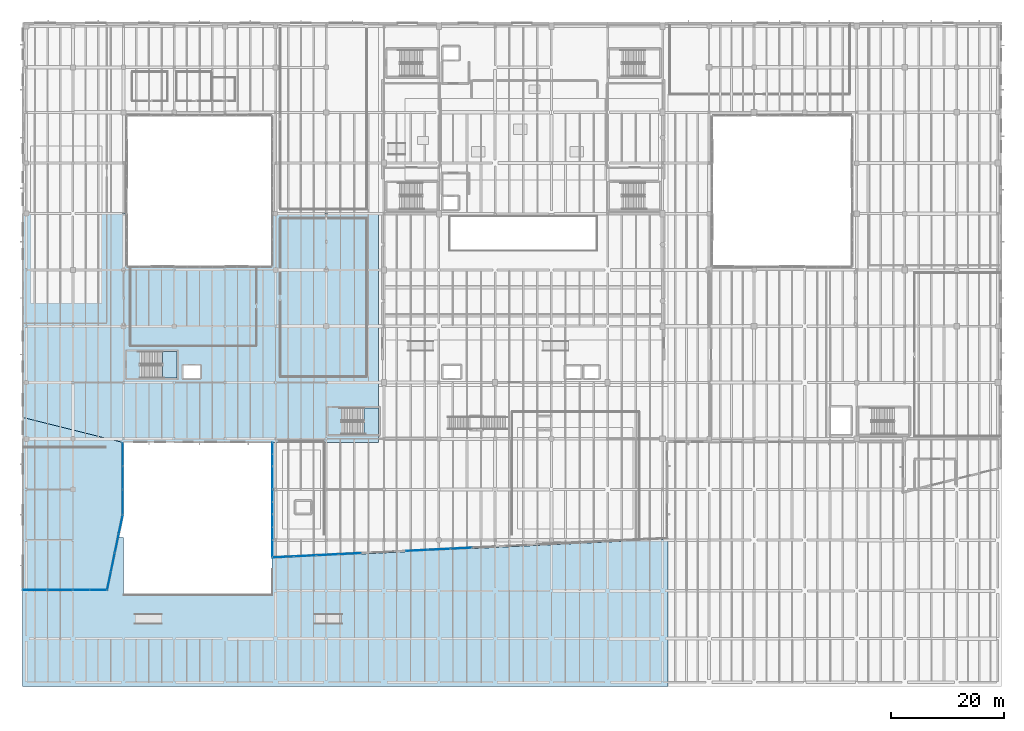
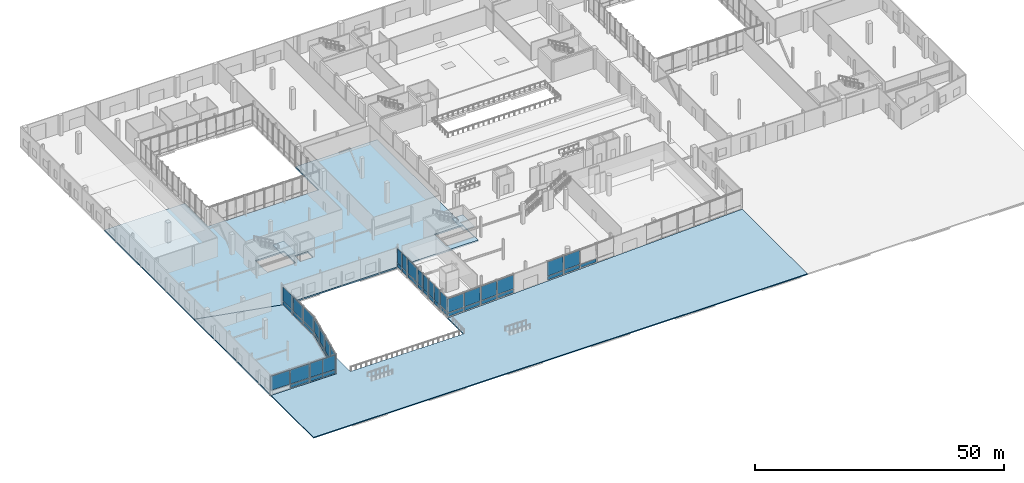
# One storey, part 60 of 88: 50 plates, 5 slabs, 22 elements without a shape of their own.
"""IFC4 building model written with IfcOpenShell, lengths in metres."""

from ifc_helpers import new_model, si_unit, direction, frame, origin, origin_2d, place, context, subcontext, project, spatial, polyline, rectangle, outline, extrude, material, layer, layer_set, type_object, element, aggregate, save


model = new_model("IFC4")

# Units and contexts
model_context = context("Model", 3, precision=1e-05, world=origin(), true_north=direction((0.0, 1.0)))
body_context = subcontext(model_context, "Body", "Model", "MODEL_VIEW")
ifc_project = project(units=[si_unit("LENGTHUNIT", "METRE"), si_unit("AREAUNIT", "SQUARE_METRE"), si_unit("VOLUMEUNIT", "CUBIC_METRE"), si_unit("PLANEANGLEUNIT", "RADIAN"), si_unit("MASSUNIT", "GRAM", prefix="KILO")], contexts=[model_context])

# Site, building, storey
site_placement = place(None, origin())
site = spatial("IfcSite", under=ifc_project, at=site_placement, CompositionType="ELEMENT")
building_placement = place(site_placement, origin())
building = spatial("IfcBuilding", under=site, at=building_placement, Name="Trimount Lyric Opera House", CompositionType="ELEMENT")
storey_placement = place(building_placement, origin())
storey = spatial("IfcBuildingStorey", under=building, at=storey_placement, Name="L00", CompositionType="ELEMENT", Elevation=0.0)

# Curtain wall, plate
ifc_material_1 = material(Name="Thermally Broken Aluminium and Low-E Glass", Category="aluminium")
curtain_wall_type_1 = type_object("IfcCurtainWallType", Name="CW-01", PredefinedType="NOTDEFINED", material=ifc_material_1)
curtain_wall_1_placement = place(storey_placement, origin())
curtain_wall_1 = element("IfcCurtainWall", 1, at=curtain_wall_1_placement, inside=storey, type_object=curtain_wall_type_1, Name="L00 curtain wall 021", PredefinedType="NOTDEFINED")
ifc_material_2 = material(Name="Triple Low-E Acoustic Laminated Glass", Category="glass")
ifc_layer_1 = layer(ifc_material_2, 0.035888671875)
ifc_layer_set_1 = layer_set([ifc_layer_1], Name="CWP-01")
plate_type_1 = type_object("IfcPlateType", Name="CWP-01", PredefinedType="CURTAIN_PANEL", material=ifc_layer_set_1)
plate_1_placement = place(storey_placement, frame((77.99609375, 24.550537109375, 0.159912109375), z_axis=(0.0, 0.0, 1.0), x_axis=(-0.998814490119, -0.048678684537, 0.0)))
plate_1 = element("IfcPlate", 2, at=plate_1_placement, type_object=plate_type_1, Name="CW-01 panel 1.1", PredefinedType="CURTAIN_PANEL", context=body_context, shape_type="SweptSolid", body=[
    extrude(rectangle(XDim=3.74267578125, YDim=0.035888671875, at=origin_2d()), origin(), (0.0, 0.0, 1.0), 0.81005859375),
])
aggregate(curtain_wall_1, [plate_1])

curtain_wall_2_placement = place(storey_placement, origin())
curtain_wall_2 = element("IfcCurtainWall", 3, at=curtain_wall_2_placement, inside=storey, type_object=curtain_wall_type_1, Name="L00 curtain wall 022", PredefinedType="NOTDEFINED")
plate_2_placement = place(storey_placement, frame((74.028076171875, 24.3564453125, 0.13525390625), z_axis=(0.0, 0.0, 1.0), x_axis=(-0.998814490119, -0.048678684537, 0.0)))
plate_2 = element("IfcPlate", 4, at=plate_2_placement, type_object=plate_type_1, Name="CW-01 panel 1.1", PredefinedType="CURTAIN_PANEL", context=body_context, shape_type="SweptSolid", body=[
    extrude(rectangle(XDim=3.752685546875, YDim=0.035888671875, at=origin_2d()), origin(), (0.0, 0.0, 1.0), 0.847412109375),
])

curtain_wall_3_placement = place(storey_placement, origin())
curtain_wall_3 = element("IfcCurtainWall", 5, at=curtain_wall_3_placement, inside=storey, type_object=curtain_wall_type_1, Name="L00 curtain wall 023", PredefinedType="NOTDEFINED")
plate_3_placement = place(storey_placement, frame((70.06005859375, 24.1630859375, 0.114990234375), z_axis=(0.0, 0.0, 1.0), x_axis=(-0.998801934448, -0.048935628556, 0.0)))
plate_3 = element("IfcPlate", 6, at=plate_3_placement, type_object=plate_type_1, Name="CW-01 panel 1.1", PredefinedType="CURTAIN_PANEL", context=body_context, shape_type="SweptSolid", body=[
    extrude(rectangle(XDim=3.7626953125, YDim=0.035888671875, at=origin_2d()), origin(), (0.0, 0.0, 1.0), 0.87744140625),
])

curtain_wall_4_placement = place(storey_placement, origin())
curtain_wall_4 = element("IfcCurtainWall", 7, at=curtain_wall_4_placement, inside=storey, type_object=curtain_wall_type_1, Name="L00 curtain wall 024", PredefinedType="NOTDEFINED")
plate_4_placement = place(storey_placement, frame((58.200927734375, 23.583984375, 0.159912109375), z_axis=(0.0, 0.0, 1.0), x_axis=(-0.998806967144, -0.048832800304, 0.0)))
plate_4 = element("IfcPlate", 8, at=plate_4_placement, type_object=plate_type_1, Name="CW-01 panel 1.1", PredefinedType="CURTAIN_PANEL", context=body_context, shape_type="SweptSolid", body=[
    extrude(rectangle(XDim=3.832763671875, YDim=0.035888671875, at=origin_2d()), origin(), (0.0, 0.0, 1.0), 0.81005859375),
])

curtain_wall_5_placement = place(storey_placement, origin())
curtain_wall_5 = element("IfcCurtainWall", 9, at=curtain_wall_5_placement, inside=storey, type_object=curtain_wall_type_1, Name="L00 curtain wall 025", PredefinedType="NOTDEFINED")
plate_5_placement = place(storey_placement, frame((54.18798828125, 23.388427734375, 0.13525390625), z_axis=(0.0, 0.0, 1.0), x_axis=(-0.998814490119, -0.048678684537, 0.0)))
plate_5 = element("IfcPlate", 10, at=plate_5_placement, type_object=plate_type_1, Name="CW-01 panel 1.1", PredefinedType="CURTAIN_PANEL", context=body_context, shape_type="SweptSolid", body=[
    extrude(rectangle(XDim=3.752685546875, YDim=0.035888671875, at=origin_2d()), origin(), (0.0, 0.0, 1.0), 0.847412109375),
])

curtain_wall_6_placement = place(storey_placement, origin())
curtain_wall_6 = element("IfcCurtainWall", 11, at=curtain_wall_6_placement, inside=storey, type_object=curtain_wall_type_1, Name="L00 curtain wall 026", PredefinedType="NOTDEFINED")
plate_6_placement = place(storey_placement, frame((50.219970703125, 23.194580078125, 0.114990234375), z_axis=(0.0, 0.0, 1.0), x_axis=(-0.998814490119, -0.048678684537, 0.0)))
plate_6 = element("IfcPlate", 12, at=plate_6_placement, type_object=plate_type_1, Name="CW-01 panel 1.1", PredefinedType="CURTAIN_PANEL", context=body_context, shape_type="SweptSolid", body=[
    extrude(rectangle(XDim=3.7626953125, YDim=0.035888671875, at=origin_2d()), origin(), (0.0, 0.0, 1.0), 0.87744140625),
])

curtain_wall_7_placement = place(storey_placement, origin())
curtain_wall_7 = element("IfcCurtainWall", 13, at=curtain_wall_7_placement, inside=storey, type_object=curtain_wall_type_1, Name="L00 curtain wall 027", PredefinedType="NOTDEFINED")
plate_7_placement = place(storey_placement, frame((46.251953125, 23.00146484375, 0.159912109375), z_axis=(0.0, 0.0, 1.0), x_axis=(-0.998814490119, -0.048678684537, 0.0)))
plate_7 = element("IfcPlate", 14, at=plate_7_placement, type_object=plate_type_1, Name="CW-01 panel 1.1", PredefinedType="CURTAIN_PANEL", context=body_context, shape_type="SweptSolid", body=[
    extrude(rectangle(XDim=3.74267578125, YDim=0.035888671875, at=origin_2d()), origin(), (0.0, 0.0, 1.0), 0.81005859375),
])

curtain_wall_8_placement = place(storey_placement, origin())
curtain_wall_8 = element("IfcCurtainWall", 15, at=curtain_wall_8_placement, inside=storey, type_object=curtain_wall_type_1, Name="L00 curtain wall 028", PredefinedType="NOTDEFINED")
plate_8_placement = place(storey_placement, frame((44.4599609375, 24.501953125, 0.13525390625), z_axis=(0.0, 0.0, 1.0), x_axis=(0.0, 1.0, 0.0)))
plate_8 = element("IfcPlate", 16, at=plate_8_placement, type_object=plate_type_1, Name="CW-01 panel 1.1", PredefinedType="CURTAIN_PANEL", context=body_context, shape_type="SweptSolid", body=[
    extrude(rectangle(XDim=2.865966796875, YDim=0.035888671875, at=origin_2d()), origin(), (0.0, 0.0, 1.0), 0.847412109375),
])

# Curtain wall, plates
curtain_wall_9_placement = place(storey_placement, origin())
curtain_wall_9 = element("IfcCurtainWall", 17, at=curtain_wall_9_placement, inside=storey, type_object=curtain_wall_type_1, Name="L00 curtain wall 029", PredefinedType="NOTDEFINED")
plate_9_placement = place(storey_placement, frame((44.4599609375, 27.20751953125, 0.114990234375), z_axis=(0.0, 0.0, 1.0), x_axis=(0.0, 1.0, 0.0)))
plate_9 = element("IfcPlate", 18, at=plate_9_placement, type_object=plate_type_1, Name="CW-01 panel 1.1", PredefinedType="CURTAIN_PANEL", context=body_context, shape_type="SweptSolid", body=[
    extrude(rectangle(XDim=2.114990234375, YDim=0.035888671875, at=origin_2d()), origin(), (0.0, 0.0, 1.0), 0.87744140625),
])
plate_10_placement = place(storey_placement, frame((44.4599609375, 29.382568359375, 0.114990234375), z_axis=(0.0, 0.0, 1.0), x_axis=(0.0, 1.0, 0.0)))
plate_10 = element("IfcPlate", 19, at=plate_10_placement, type_object=plate_type_1, Name="CW-01 panel 2.1", PredefinedType="CURTAIN_PANEL", context=body_context, shape_type="SweptSolid", body=[
    extrude(rectangle(XDim=2.114990234375, YDim=0.035888671875, at=origin_2d()), origin(), (0.0, 0.0, 1.0), 0.87744140625),
])

curtain_wall_10_placement = place(storey_placement, origin())
curtain_wall_10 = element("IfcCurtainWall", 20, at=curtain_wall_10_placement, inside=storey, type_object=curtain_wall_type_1, Name="L00 curtain wall 030", PredefinedType="NOTDEFINED")
plate_11_placement = place(storey_placement, frame((44.4599609375, 31.7099609375, 0.159912109375), z_axis=(0.0, 0.0, 1.0), x_axis=(0.0, 1.0, 0.0)))
plate_11 = element("IfcPlate", 21, at=plate_11_placement, type_object=plate_type_1, Name="CW-01 panel 1.1", PredefinedType="CURTAIN_PANEL", context=body_context, shape_type="SweptSolid", body=[
    extrude(rectangle(XDim=2.10009765625, YDim=0.035888671875, at=origin_2d()), origin(), (0.0, 0.0, 1.0), 0.81005859375),
])
plate_12_placement = place(storey_placement, frame((44.4599609375, 33.8798828125, 0.159912109375), z_axis=(0.0, 0.0, 1.0), x_axis=(0.0, 1.0, 0.0)))
plate_12 = element("IfcPlate", 22, at=plate_12_placement, type_object=plate_type_1, Name="CW-01 panel 2.1", PredefinedType="CURTAIN_PANEL", context=body_context, shape_type="SweptSolid", body=[
    extrude(rectangle(XDim=2.10009765625, YDim=0.035888671875, at=origin_2d()), origin(), (0.0, 0.0, 1.0), 0.81005859375),
])

# Curtain wall, plate
curtain_wall_11_placement = place(storey_placement, origin())
curtain_wall_11 = element("IfcCurtainWall", 23, at=curtain_wall_11_placement, inside=storey, type_object=curtain_wall_type_1, Name="L00 curtain wall 031", PredefinedType="NOTDEFINED")
plate_13_placement = place(storey_placement, frame((44.4599609375, 37.0849609375, 0.13525390625), z_axis=(0.0, 0.0, 1.0), x_axis=(0.0, 1.0, 0.0)))
plate_13 = element("IfcPlate", 24, at=plate_13_placement, type_object=plate_type_1, Name="CW-01 panel 1.1", PredefinedType="CURTAIN_PANEL", context=body_context, shape_type="SweptSolid", body=[
    extrude(rectangle(XDim=3.860107421875, YDim=0.035888671875, at=origin_2d()), origin(), (0.0, 0.0, 1.0), 0.847412109375),
])

# Curtain wall, plates
curtain_wall_12_placement = place(storey_placement, origin())
curtain_wall_12 = element("IfcCurtainWall", 25, at=curtain_wall_12_placement, inside=storey, type_object=curtain_wall_type_1, Name="L00 curtain wall 032", PredefinedType="NOTDEFINED")
plate_14_placement = place(storey_placement, frame((44.4599609375, 40.222412109375, 0.114990234375), z_axis=(0.0, 0.0, 1.0), x_axis=(0.0, 1.0, 0.0)))
plate_14 = element("IfcPlate", 26, at=plate_14_placement, type_object=plate_type_1, Name="CW-01 panel 1.1", PredefinedType="CURTAIN_PANEL", context=body_context, shape_type="SweptSolid", body=[
    extrude(rectangle(XDim=1.985107421875, YDim=0.035888671875, at=origin_2d()), origin(), (0.0, 0.0, 1.0), 0.87744140625),
])
plate_15_placement = place(storey_placement, frame((44.4599609375, 42.267578125, 0.114990234375), z_axis=(0.0, 0.0, 1.0), x_axis=(0.0, 1.0, 0.0)))
plate_15 = element("IfcPlate", 27, at=plate_15_placement, type_object=plate_type_1, Name="CW-01 panel 2.1", PredefinedType="CURTAIN_PANEL", context=body_context, shape_type="SweptSolid", body=[
    extrude(rectangle(XDim=1.985107421875, YDim=0.035888671875, at=origin_2d()), origin(), (0.0, 0.0, 1.0), 0.87744140625),
])

ifc_material_3 = material(Name="Thermally Broken Aluminium and Low-E Glass", Category="aluminium")
curtain_wall_type_2 = type_object("IfcCurtainWallType", Name="CW-04", PredefinedType="NOTDEFINED", material=ifc_material_3)
curtain_wall_13_placement = place(storey_placement, origin())
curtain_wall_13 = element("IfcCurtainWall", 28, at=curtain_wall_13_placement, inside=storey, type_object=curtain_wall_type_2, Name="L00 curtain wall 009", PredefinedType="NOTDEFINED")
ifc_material_4 = material(Name="Double Low-E Insulated Vision Glass", Category="glass")
ifc_layer_2 = layer(ifc_material_4, 0.028076171875)
ifc_layer_set_2 = layer_set([ifc_layer_2], Name="CWP-03")
plate_type_2 = type_object("IfcPlateType", Name="CWP-03", PredefinedType="CURTAIN_PANEL", material=ifc_layer_set_2)
plate_16_placement = place(storey_placement, frame((17.509521484375, 28.823486328125, 0.159912109375), z_axis=(0.0, 0.0, 1.0), x_axis=(-0.203085256582, -0.979161058539, 0.0)))
plate_16 = element("IfcPlate", 29, at=plate_16_placement, type_object=plate_type_2, Name="CW-04 panel 1.1", PredefinedType="CURTAIN_PANEL", context=body_context, shape_type="SweptSolid", body=[
    extrude(rectangle(XDim=3.341796875, YDim=0.028076171875, at=origin_2d()), origin(), (0.0, 0.0, 1.0), 0.81005859375),
])
plate_17_placement = place(storey_placement, frame((16.816650390625, 25.482666015625, 0.159912109375), z_axis=(0.0, 0.0, 1.0), x_axis=(-0.203085256582, -0.979161058539, 0.0)))
plate_17 = element("IfcPlate", 30, at=plate_17_placement, type_object=plate_type_2, Name="CW-04 panel 2.1", PredefinedType="CURTAIN_PANEL", context=body_context, shape_type="SweptSolid", body=[
    extrude(rectangle(XDim=3.341796875, YDim=0.028076171875, at=origin_2d()), origin(), (0.0, 0.0, 1.0), 0.81005859375),
])

curtain_wall_14_placement = place(storey_placement, origin())
curtain_wall_14 = element("IfcCurtainWall", 31, at=curtain_wall_14_placement, inside=storey, type_object=curtain_wall_type_2, Name="L00 curtain wall 010", PredefinedType="NOTDEFINED")
plate_18_placement = place(storey_placement, frame((16.09619140625, 22.008544921875, 0.13525390625), z_axis=(0.0, 0.0, 1.0), x_axis=(-0.203120745927, -0.979153697115, 0.0)))
plate_18 = element("IfcPlate", 32, at=plate_18_placement, type_object=plate_type_2, Name="CW-04 panel 1.1", PredefinedType="CURTAIN_PANEL", context=body_context, shape_type="SweptSolid", body=[
    extrude(rectangle(XDim=3.304443359375, YDim=0.028076171875, at=origin_2d()), origin(), (0.0, 0.0, 1.0), 0.847412109375),
])
plate_19_placement = place(storey_placement, frame((15.411865234375, 18.70947265625, 0.13525390625), z_axis=(0.0, 0.0, 1.0), x_axis=(-0.203120745927, -0.979153697115, 0.0)))
plate_19 = element("IfcPlate", 33, at=plate_19_placement, type_object=plate_type_2, Name="CW-04 panel 2.1", PredefinedType="CURTAIN_PANEL", context=body_context, shape_type="SweptSolid", body=[
    extrude(rectangle(XDim=3.304443359375, YDim=0.028076171875, at=origin_2d()), origin(), (0.0, 0.0, 1.0), 0.847412109375),
])

curtain_wall_15_placement = place(storey_placement, origin())
curtain_wall_15 = element("IfcCurtainWall", 34, at=curtain_wall_15_placement, inside=storey, type_object=curtain_wall_type_2, Name="L00 curtain wall 011", PredefinedType="NOTDEFINED")
plate_20_placement = place(storey_placement, frame((13.48046875, 17.139892578125, 0.114990234375), z_axis=(0.0, 0.0, 1.0), x_axis=(-1.0, 0.0, 0.0)))
plate_20 = element("IfcPlate", 35, at=plate_20_placement, type_object=plate_type_2, Name="CW-04 panel 1.1", PredefinedType="CURTAIN_PANEL", context=body_context, shape_type="SweptSolid", body=[
    extrude(rectangle(XDim=2.906982421875, YDim=0.028076171875, at=origin_2d()), origin(), (0.0, 0.0, 1.0), 0.87744140625),
])
plate_21_placement = place(storey_placement, frame((10.513427734375, 17.139892578125, 0.114990234375), z_axis=(0.0, 0.0, 1.0), x_axis=(-1.0, 0.0, 0.0)))
plate_21 = element("IfcPlate", 36, at=plate_21_placement, type_object=plate_type_2, Name="CW-04 panel 2.1", PredefinedType="CURTAIN_PANEL", context=body_context, shape_type="SweptSolid", body=[
    extrude(rectangle(XDim=2.906982421875, YDim=0.028076171875, at=origin_2d()), origin(), (0.0, 0.0, 1.0), 0.87744140625),
])

# Curtain wall, plate
curtain_wall_16_placement = place(storey_placement, origin())
curtain_wall_16 = element("IfcCurtainWall", 37, at=curtain_wall_16_placement, inside=storey, type_object=curtain_wall_type_2, Name="L00 curtain wall 012", PredefinedType="NOTDEFINED")
plate_22_placement = place(storey_placement, frame((6.705078125, 17.139892578125, 0.159912109375), z_axis=(0.0, 0.0, 1.0), x_axis=(-1.0, 0.0, 0.0)))
plate_22 = element("IfcPlate", 38, at=plate_22_placement, type_object=plate_type_2, Name="CW-04 panel 1.1", PredefinedType="CURTAIN_PANEL", context=body_context, shape_type="SweptSolid", body=[
    extrude(rectangle(XDim=4.27001953125, YDim=0.028076171875, at=origin_2d()), origin(), (0.0, 0.0, 1.0), 0.81005859375),
])

curtain_wall_17_placement = place(storey_placement, origin())
curtain_wall_17 = element("IfcCurtainWall", 39, at=curtain_wall_17_placement, inside=storey, type_object=curtain_wall_type_2, Name="L00 curtain wall 033", PredefinedType="NOTDEFINED")
plate_23_placement = place(storey_placement, frame((17.860107421875, 41.239990234375, 0.159912109375), z_axis=(0.0, 0.0, 1.0), x_axis=(0.0, -1.0, 0.0)))
plate_23 = element("IfcPlate", 40, at=plate_23_placement, type_object=plate_type_2, Name="CW-04 panel 1.1", PredefinedType="CURTAIN_PANEL", context=body_context, shape_type="SweptSolid", body=[
    extrude(rectangle(XDim=4.02001953125, YDim=0.028076171875, at=origin_2d()), origin(), (0.0, 0.0, 1.0), 0.81005859375),
])

curtain_wall_18_placement = place(storey_placement, origin())
curtain_wall_18 = element("IfcCurtainWall", 41, at=curtain_wall_18_placement, inside=storey, type_object=curtain_wall_type_2, Name="L00 curtain wall 034", PredefinedType="NOTDEFINED")
plate_24_placement = place(storey_placement, frame((17.860107421875, 37.034912109375, 0.13525390625), z_axis=(0.0, 0.0, 1.0), x_axis=(0.0, -1.0, 0.0)))
plate_24 = element("IfcPlate", 42, at=plate_24_placement, type_object=plate_type_2, Name="CW-04 panel 1.1", PredefinedType="CURTAIN_PANEL", context=body_context, shape_type="SweptSolid", body=[
    extrude(rectangle(XDim=3.93994140625, YDim=0.028076171875, at=origin_2d()), origin(), (0.0, 0.0, 1.0), 0.847412109375),
])

curtain_wall_19_placement = place(storey_placement, origin())
curtain_wall_19 = element("IfcCurtainWall", 43, at=curtain_wall_19_placement, inside=storey, type_object=curtain_wall_type_2, Name="L00 curtain wall 035", PredefinedType="NOTDEFINED")
plate_25_placement = place(storey_placement, frame((17.860107421875, 32.763916015625, 0.114990234375), z_axis=(0.0, 0.0, 1.0), x_axis=(0.0, -1.0, 0.0)))
plate_25 = element("IfcPlate", 44, at=plate_25_placement, type_object=plate_type_2, Name="CW-04 panel 1.1", PredefinedType="CURTAIN_PANEL", context=body_context, shape_type="SweptSolid", body=[
    extrude(rectangle(XDim=4.172119140625, YDim=0.028076171875, at=origin_2d()), origin(), (0.0, 0.0, 1.0), 0.87744140625),
])

# Plate
ifc_material_5 = material(Name="Insulated Aluminium Shadow-Box Spandrel Panel", Category="aluminium")
ifc_layer_3 = layer(ifc_material_5, 0.0419921875)
ifc_layer_set_3 = layer_set([ifc_layer_3], Name="CWP-04")
plate_type_3 = type_object("IfcPlateType", Name="CWP-04", PredefinedType="CURTAIN_PANEL", material=ifc_layer_set_3)
plate_26_placement = place(storey_placement, frame((17.509521484375, 28.823486328125, 1.1298828125), z_axis=(0.0, 0.0, 1.0), x_axis=(-0.203085256582, -0.979161058539, 0.0)))
plate_26 = element("IfcPlate", 45, at=plate_26_placement, type_object=plate_type_3, Name="CW-04 panel 1.2", PredefinedType="CURTAIN_PANEL", context=body_context, shape_type="SweptSolid", body=[
    extrude(rectangle(XDim=3.341796875, YDim=0.028076171875, at=origin_2d()), origin(), (0.0, 0.0, 1.0), 3.429931640625),
])

plate_27_placement = place(storey_placement, frame((16.816650390625, 25.482666015625, 1.1298828125), z_axis=(0.0, 0.0, 1.0), x_axis=(-0.203085256582, -0.979161058539, 0.0)))
plate_27 = element("IfcPlate", 46, at=plate_27_placement, type_object=plate_type_3, Name="CW-04 panel 2.2", PredefinedType="CURTAIN_PANEL", context=body_context, shape_type="SweptSolid", body=[
    extrude(rectangle(XDim=3.341796875, YDim=0.028076171875, at=origin_2d()), origin(), (0.0, 0.0, 1.0), 3.429931640625),
])

aggregate(curtain_wall_13, [plate_16, plate_26, plate_17, plate_27])

plate_28_placement = place(storey_placement, frame((16.09619140625, 22.008544921875, 1.11767578125), z_axis=(0.0, 0.0, 1.0), x_axis=(-0.203120745927, -0.979153697115, 0.0)))
plate_28 = element("IfcPlate", 47, at=plate_28_placement, type_object=plate_type_3, Name="CW-04 panel 1.2", PredefinedType="CURTAIN_PANEL", context=body_context, shape_type="SweptSolid", body=[
    extrude(rectangle(XDim=3.304443359375, YDim=0.028076171875, at=origin_2d()), origin(), (0.0, 0.0, 1.0), 3.467529296875),
])

plate_29_placement = place(storey_placement, frame((15.411865234375, 18.70947265625, 1.11767578125), z_axis=(0.0, 0.0, 1.0), x_axis=(-0.203120745927, -0.979153697115, 0.0)))
plate_29 = element("IfcPlate", 48, at=plate_29_placement, type_object=plate_type_3, Name="CW-04 panel 2.2", PredefinedType="CURTAIN_PANEL", context=body_context, shape_type="SweptSolid", body=[
    extrude(rectangle(XDim=3.304443359375, YDim=0.028076171875, at=origin_2d()), origin(), (0.0, 0.0, 1.0), 3.467529296875),
])

aggregate(curtain_wall_14, [plate_18, plate_28, plate_19, plate_29])

plate_30_placement = place(storey_placement, frame((13.48046875, 17.139892578125, 1.107421875), z_axis=(0.0, 0.0, 1.0), x_axis=(-1.0, 0.0, 0.0)))
plate_30 = element("IfcPlate", 49, at=plate_30_placement, type_object=plate_type_3, Name="CW-04 panel 1.2", PredefinedType="CURTAIN_PANEL", context=body_context, shape_type="SweptSolid", body=[
    extrude(rectangle(XDim=2.906982421875, YDim=0.028076171875, at=origin_2d()), origin(), (0.0, 0.0, 1.0), 3.49755859375),
])

plate_31_placement = place(storey_placement, frame((10.513427734375, 17.139892578125, 1.107421875), z_axis=(0.0, 0.0, 1.0), x_axis=(-1.0, 0.0, 0.0)))
plate_31 = element("IfcPlate", 50, at=plate_31_placement, type_object=plate_type_3, Name="CW-04 panel 2.2", PredefinedType="CURTAIN_PANEL", context=body_context, shape_type="SweptSolid", body=[
    extrude(rectangle(XDim=2.906982421875, YDim=0.028076171875, at=origin_2d()), origin(), (0.0, 0.0, 1.0), 3.49755859375),
])

aggregate(curtain_wall_15, [plate_20, plate_30, plate_21, plate_31])

plate_32_placement = place(storey_placement, frame((6.705078125, 17.139892578125, 1.1298828125), z_axis=(0.0, 0.0, 1.0), x_axis=(-1.0, 0.0, 0.0)))
plate_32 = element("IfcPlate", 51, at=plate_32_placement, type_object=plate_type_3, Name="CW-04 panel 1.2", PredefinedType="CURTAIN_PANEL", context=body_context, shape_type="SweptSolid", body=[
    extrude(rectangle(XDim=4.27001953125, YDim=0.028076171875, at=origin_2d()), origin(), (0.0, 0.0, 1.0), 3.429931640625),
])

aggregate(curtain_wall_16, [plate_22, plate_32])

# Curtain wall, plate
curtain_wall_20_placement = place(storey_placement, origin())
curtain_wall_20 = element("IfcCurtainWall", 52, at=curtain_wall_20_placement, inside=storey, type_object=curtain_wall_type_2, Name="L00 curtain wall 013", PredefinedType="NOTDEFINED")
plate_33_placement = place(storey_placement, frame((2.205078125, 17.139892578125, 1.11767578125), z_axis=(0.0, 0.0, 1.0), x_axis=(-1.0, 0.0, 0.0)))
plate_33 = element("IfcPlate", 53, at=plate_33_placement, type_object=plate_type_3, Name="CW-04 panel 1.2", PredefinedType="CURTAIN_PANEL", context=body_context, shape_type="SweptSolid", body=[
    extrude(rectangle(XDim=4.280029296875, YDim=0.028076171875, at=origin_2d()), origin(), (0.0, 0.0, 1.0), 3.467529296875),
])
aggregate(curtain_wall_20, [plate_33])

# Plate
plate_34_placement = place(storey_placement, frame((74.028076171875, 24.3564453125, 1.11767578125), z_axis=(0.0, 0.0, 1.0), x_axis=(-0.998814490119, -0.048678684537, 0.0)))
plate_34 = element("IfcPlate", 54, at=plate_34_placement, type_object=plate_type_3, Name="CW-01 panel 1.2", PredefinedType="CURTAIN_PANEL", context=body_context, shape_type="SweptSolid", body=[
    extrude(rectangle(XDim=3.752685546875, YDim=0.035888671875, at=origin_2d()), origin(), (0.0, 0.0, 1.0), 3.447509765625),
])

aggregate(curtain_wall_2, [plate_2, plate_34])

plate_35_placement = place(storey_placement, frame((70.06005859375, 24.1630859375, 1.107421875), z_axis=(0.0, 0.0, 1.0), x_axis=(-0.998801934448, -0.048935628556, 0.0)))
plate_35 = element("IfcPlate", 55, at=plate_35_placement, type_object=plate_type_3, Name="CW-01 panel 1.2", PredefinedType="CURTAIN_PANEL", context=body_context, shape_type="SweptSolid", body=[
    extrude(rectangle(XDim=3.7626953125, YDim=0.035888671875, at=origin_2d()), origin(), (0.0, 0.0, 1.0), 3.4775390625),
])

aggregate(curtain_wall_3, [plate_3, plate_35])

plate_36_placement = place(storey_placement, frame((58.200927734375, 23.583984375, 1.1298828125), z_axis=(0.0, 0.0, 1.0), x_axis=(-0.998806967144, -0.048832800304, 0.0)))
plate_36 = element("IfcPlate", 56, at=plate_36_placement, type_object=plate_type_3, Name="CW-01 panel 1.2", PredefinedType="CURTAIN_PANEL", context=body_context, shape_type="SweptSolid", body=[
    extrude(rectangle(XDim=3.832763671875, YDim=0.035888671875, at=origin_2d()), origin(), (0.0, 0.0, 1.0), 3.409912109375),
])

aggregate(curtain_wall_4, [plate_4, plate_36])

plate_37_placement = place(storey_placement, frame((54.18798828125, 23.388427734375, 1.11767578125), z_axis=(0.0, 0.0, 1.0), x_axis=(-0.998814490119, -0.048678684537, 0.0)))
plate_37 = element("IfcPlate", 57, at=plate_37_placement, type_object=plate_type_3, Name="CW-01 panel 1.2", PredefinedType="CURTAIN_PANEL", context=body_context, shape_type="SweptSolid", body=[
    extrude(rectangle(XDim=3.752685546875, YDim=0.035888671875, at=origin_2d()), origin(), (0.0, 0.0, 1.0), 3.447509765625),
])

aggregate(curtain_wall_5, [plate_5, plate_37])

plate_38_placement = place(storey_placement, frame((50.219970703125, 23.194580078125, 1.107421875), z_axis=(0.0, 0.0, 1.0), x_axis=(-0.998814490119, -0.048678684537, 0.0)))
plate_38 = element("IfcPlate", 58, at=plate_38_placement, type_object=plate_type_3, Name="CW-01 panel 1.2", PredefinedType="CURTAIN_PANEL", context=body_context, shape_type="SweptSolid", body=[
    extrude(rectangle(XDim=3.7626953125, YDim=0.035888671875, at=origin_2d()), origin(), (0.0, 0.0, 1.0), 3.4775390625),
])

aggregate(curtain_wall_6, [plate_6, plate_38])

plate_39_placement = place(storey_placement, frame((46.251953125, 23.00146484375, 1.1298828125), z_axis=(0.0, 0.0, 1.0), x_axis=(-0.998814490119, -0.048678684537, 0.0)))
plate_39 = element("IfcPlate", 59, at=plate_39_placement, type_object=plate_type_3, Name="CW-01 panel 1.2", PredefinedType="CURTAIN_PANEL", context=body_context, shape_type="SweptSolid", body=[
    extrude(rectangle(XDim=3.74267578125, YDim=0.035888671875, at=origin_2d()), origin(), (0.0, 0.0, 1.0), 3.409912109375),
])

aggregate(curtain_wall_7, [plate_7, plate_39])

plate_40_placement = place(storey_placement, frame((44.4599609375, 24.501953125, 1.11767578125), z_axis=(0.0, 0.0, 1.0), x_axis=(0.0, 1.0, 0.0)))
plate_40 = element("IfcPlate", 60, at=plate_40_placement, type_object=plate_type_3, Name="CW-01 panel 1.2", PredefinedType="CURTAIN_PANEL", context=body_context, shape_type="SweptSolid", body=[
    extrude(rectangle(XDim=2.865966796875, YDim=0.035888671875, at=origin_2d()), origin(), (0.0, 0.0, 1.0), 3.447509765625),
])

aggregate(curtain_wall_8, [plate_8, plate_40])

plate_41_placement = place(storey_placement, frame((44.4599609375, 27.20751953125, 1.107421875), z_axis=(0.0, 0.0, 1.0), x_axis=(0.0, 1.0, 0.0)))
plate_41 = element("IfcPlate", 61, at=plate_41_placement, type_object=plate_type_3, Name="CW-01 panel 1.2", PredefinedType="CURTAIN_PANEL", context=body_context, shape_type="SweptSolid", body=[
    extrude(rectangle(XDim=2.114990234375, YDim=0.035888671875, at=origin_2d()), origin(), (0.0, 0.0, 1.0), 3.4775390625),
])

plate_42_placement = place(storey_placement, frame((44.4599609375, 29.382568359375, 1.107421875), z_axis=(0.0, 0.0, 1.0), x_axis=(0.0, 1.0, 0.0)))
plate_42 = element("IfcPlate", 62, at=plate_42_placement, type_object=plate_type_3, Name="CW-01 panel 2.2", PredefinedType="CURTAIN_PANEL", context=body_context, shape_type="SweptSolid", body=[
    extrude(rectangle(XDim=2.114990234375, YDim=0.035888671875, at=origin_2d()), origin(), (0.0, 0.0, 1.0), 3.4775390625),
])

aggregate(curtain_wall_9, [plate_9, plate_41, plate_10, plate_42])

plate_43_placement = place(storey_placement, frame((44.4599609375, 31.7099609375, 1.1298828125), z_axis=(0.0, 0.0, 1.0), x_axis=(0.0, 1.0, 0.0)))
plate_43 = element("IfcPlate", 63, at=plate_43_placement, type_object=plate_type_3, Name="CW-01 panel 1.2", PredefinedType="CURTAIN_PANEL", context=body_context, shape_type="SweptSolid", body=[
    extrude(rectangle(XDim=2.10009765625, YDim=0.035888671875, at=origin_2d()), origin(), (0.0, 0.0, 1.0), 3.409912109375),
])

plate_44_placement = place(storey_placement, frame((44.4599609375, 33.8798828125, 1.1298828125), z_axis=(0.0, 0.0, 1.0), x_axis=(0.0, 1.0, 0.0)))
plate_44 = element("IfcPlate", 64, at=plate_44_placement, type_object=plate_type_3, Name="CW-01 panel 2.2", PredefinedType="CURTAIN_PANEL", context=body_context, shape_type="SweptSolid", body=[
    extrude(rectangle(XDim=2.10009765625, YDim=0.035888671875, at=origin_2d()), origin(), (0.0, 0.0, 1.0), 3.409912109375),
])

aggregate(curtain_wall_10, [plate_11, plate_43, plate_12, plate_44])

plate_45_placement = place(storey_placement, frame((44.4599609375, 37.0849609375, 1.11767578125), z_axis=(0.0, 0.0, 1.0), x_axis=(0.0, 1.0, 0.0)))
plate_45 = element("IfcPlate", 65, at=plate_45_placement, type_object=plate_type_3, Name="CW-01 panel 1.2", PredefinedType="CURTAIN_PANEL", context=body_context, shape_type="SweptSolid", body=[
    extrude(rectangle(XDim=3.860107421875, YDim=0.035888671875, at=origin_2d()), origin(), (0.0, 0.0, 1.0), 3.447509765625),
])

aggregate(curtain_wall_11, [plate_13, plate_45])

plate_46_placement = place(storey_placement, frame((44.4599609375, 40.222412109375, 1.107421875), z_axis=(0.0, 0.0, 1.0), x_axis=(0.0, 1.0, 0.0)))
plate_46 = element("IfcPlate", 66, at=plate_46_placement, type_object=plate_type_3, Name="CW-01 panel 1.2", PredefinedType="CURTAIN_PANEL", context=body_context, shape_type="SweptSolid", body=[
    extrude(rectangle(XDim=1.985107421875, YDim=0.035888671875, at=origin_2d()), origin(), (0.0, 0.0, 1.0), 3.4775390625),
])

plate_47_placement = place(storey_placement, frame((44.4599609375, 42.267578125, 1.107421875), z_axis=(0.0, 0.0, 1.0), x_axis=(0.0, 1.0, 0.0)))
plate_47 = element("IfcPlate", 67, at=plate_47_placement, type_object=plate_type_3, Name="CW-01 panel 2.2", PredefinedType="CURTAIN_PANEL", context=body_context, shape_type="SweptSolid", body=[
    extrude(rectangle(XDim=1.985107421875, YDim=0.035888671875, at=origin_2d()), origin(), (0.0, 0.0, 1.0), 3.4775390625),
])

aggregate(curtain_wall_12, [plate_14, plate_46, plate_15, plate_47])

plate_48_placement = place(storey_placement, frame((17.860107421875, 41.239990234375, 1.1298828125), z_axis=(0.0, 0.0, 1.0), x_axis=(0.0, -1.0, 0.0)))
plate_48 = element("IfcPlate", 68, at=plate_48_placement, type_object=plate_type_3, Name="CW-04 panel 1.2", PredefinedType="CURTAIN_PANEL", context=body_context, shape_type="SweptSolid", body=[
    extrude(rectangle(XDim=4.02001953125, YDim=0.028076171875, at=origin_2d()), origin(), (0.0, 0.0, 1.0), 3.429931640625),
])

aggregate(curtain_wall_17, [plate_23, plate_48])

plate_49_placement = place(storey_placement, frame((17.860107421875, 37.034912109375, 1.11767578125), z_axis=(0.0, 0.0, 1.0), x_axis=(0.0, -1.0, 0.0)))
plate_49 = element("IfcPlate", 69, at=plate_49_placement, type_object=plate_type_3, Name="CW-04 panel 1.2", PredefinedType="CURTAIN_PANEL", context=body_context, shape_type="SweptSolid", body=[
    extrude(rectangle(XDim=3.93994140625, YDim=0.028076171875, at=origin_2d()), origin(), (0.0, 0.0, 1.0), 3.467529296875),
])

aggregate(curtain_wall_18, [plate_24, plate_49])

plate_50_placement = place(storey_placement, frame((17.860107421875, 32.763916015625, 1.107421875), z_axis=(0.0, 0.0, 1.0), x_axis=(0.0, -1.0, 0.0)))
plate_50 = element("IfcPlate", 70, at=plate_50_placement, type_object=plate_type_3, Name="CW-04 panel 1.2", PredefinedType="CURTAIN_PANEL", context=body_context, shape_type="SweptSolid", body=[
    extrude(rectangle(XDim=4.172119140625, YDim=0.028076171875, at=origin_2d()), origin(), (0.0, 0.0, 1.0), 3.49755859375),
])

aggregate(curtain_wall_19, [plate_25, plate_50])

# Slabs
ifc_material_6 = material(Name="Concrete C35/45", Category="concrete")
ifc_layer_4 = layer(ifc_material_6, 0.239990234375)
ifc_layer_set_4 = layer_set([ifc_layer_4], Name="SL-EXT240")
slab_type_1 = type_object("IfcSlabType", Name="SL-EXT240", PredefinedType="FLOOR", material=ifc_layer_set_4)
slab_1_placement = place(storey_placement, frame((0.0, 0.0, -0.239990234375)))
element("IfcSlab", 71, at=slab_1_placement, inside=storey, type_object=slab_type_1, Name="L00 terrace slab L00-PORCH-EXT", PredefinedType="FLOOR", context=body_context, shape_type="SweptSolid", body=[
    extrude(outline(polyline([(0.0, 0.0), (0.0, 17.0), (15.199951171875, 17.0), (17.17041015625, 26.5), (18.0, 26.5), (18.0, 16.320068359375), (44.320068359375, 16.320068359375), (44.320068359375, 22.766845703125), (114.679931640625, 26.199951171875), (114.679931640625, 0.0), (0.0, 0.0)])), origin(), (0.0, 0.0, 1.0), 0.239990234375),
])
ifc_material_7 = material(Name="Concrete C40/50", Category="concrete")
ifc_layer_5 = layer(ifc_material_7, 0.340087890625)
ifc_layer_set_5 = layer_set([ifc_layer_5], Name="SL-FL340")
slab_type_2 = type_object("IfcSlabType", Name="SL-FL340", PredefinedType="FLOOR", material=ifc_layer_set_5)
slab_2_placement = place(storey_placement, frame((0.0, 0.0, -0.340087890625)))
element("IfcSlab", 72, at=slab_2_placement, inside=storey, type_object=slab_type_2, Name="L00 floor slab L00-METRO", PredefinedType="FLOOR", context=body_context, shape_type="SweptSolid", body=[
    extrude(outline(polyline([(0.0, 47.820068359375), (18.0, 43.320068359375), (18.0, 30.5), (15.199951171875, 17.0), (0.0, 17.0), (0.0, 47.820068359375)])), origin(), (0.0, 0.0, 1.0), 0.340087890625),
])
ifc_material_8 = material(Name="Concrete C40/50", Category="concrete")
ifc_layer_6 = layer(ifc_material_8, 0.35009765625)
ifc_layer_set_6 = layer_set([ifc_layer_6], Name="SL-FL350")
slab_type_3 = type_object("IfcSlabType", Name="SL-FL350", PredefinedType="FLOOR", material=ifc_layer_set_6)
slab_3_placement = place(storey_placement, frame((0.0, 0.0, -0.35009765625)))
element("IfcSlab", 73, at=slab_3_placement, inside=storey, type_object=slab_type_3, Name="L00 floor slab L00-WEST-S", PredefinedType="FLOOR", context=body_context, shape_type="SweptSolid", body=[
    extrude(outline(polyline([(18.0, 43.320068359375), (0.0, 47.820068359375), (0.0, 84.0), (18.679931640625, 84.0), (18.679931640625, 74.679931640625), (44.320068359375, 74.679931640625), (44.320068359375, 84.0), (63.320068359375, 84.0), (63.320068359375, 43.320068359375), (18.0, 43.320068359375)]), holes=[polyline([(63.300048828125, 49.5), (56.699951171875, 49.5), (56.699951171875, 44.800048828125), (63.300048828125, 44.800048828125), (63.300048828125, 49.5)]), polyline([(31.60009765625, 57.0), (28.60009765625, 57.0), (28.60009765625, 54.800048828125), (31.60009765625, 54.800048828125), (31.60009765625, 57.0)]), polyline([(27.5, 59.5), (20.89990234375, 59.5), (20.89990234375, 54.800048828125), (27.5, 54.800048828125), (27.5, 59.5)])]), origin(), (0.0, 0.0, 1.0), 0.35009765625),
])

# Stair, slab
ifc_material_9 = material(Name="Concrete C40/50", Category="concrete")
stair_type = type_object("IfcStairType", Name="STR-CORE-A", PredefinedType="TWO_QUARTER_TURN_STAIR", material=ifc_material_9)
stair_1_placement = place(storey_placement, origin())
stair_1 = element("IfcStair", 74, at=stair_1_placement, inside=storey, type_object=stair_type, Name="L00 Exit Stair ST-06", PredefinedType="TWO_QUARTER_TURN_STAIR")
ifc_material_10 = material(Name="Concrete C40/50", Category="concrete")
ifc_layer_7 = layer(ifc_material_10, 0.199951171875)
ifc_layer_set_7 = layer_set([ifc_layer_7], Name="SL-LND200")
slab_type_4 = type_object("IfcSlabType", Name="SL-LND200", PredefinedType="LANDING", material=ifc_layer_set_7)
slab_4_placement = place(storey_placement, frame((0.0, 0.0, 2.300048828125)))
slab_4 = element("IfcSlab", 75, at=slab_4_placement, type_object=slab_type_4, Name="ST-06 landing 1", PredefinedType="LANDING", context=body_context, shape_type="SweptSolid", body=[
    extrude(outline(polyline([(24.909912109375, 54.800048828125), (27.5, 54.800048828125), (27.5, 59.5), (24.909912109375, 59.5), (24.909912109375, 54.800048828125)])), origin(), (0.0, 0.0, 1.0), 0.199951171875),
])
aggregate(stair_1, [slab_4])

stair_2_placement = place(storey_placement, origin())
stair_2 = element("IfcStair", 76, at=stair_2_placement, inside=storey, type_object=stair_type, Name="L00 Exit Stair ST-07", PredefinedType="TWO_QUARTER_TURN_STAIR")
slab_5_placement = place(storey_placement, frame((0.0, 0.0, 2.300048828125)))
slab_5 = element("IfcSlab", 77, at=slab_5_placement, type_object=slab_type_4, Name="ST-07 landing 1", PredefinedType="LANDING", context=body_context, shape_type="SweptSolid", body=[
    extrude(outline(polyline([(60.7099609375, 44.800048828125), (63.300048828125, 44.800048828125), (63.300048828125, 49.5), (60.7099609375, 49.5), (60.7099609375, 44.800048828125)])), origin(), (0.0, 0.0, 1.0), 0.199951171875),
])
aggregate(stair_2, [slab_5])

save(model, "model.ifc")
